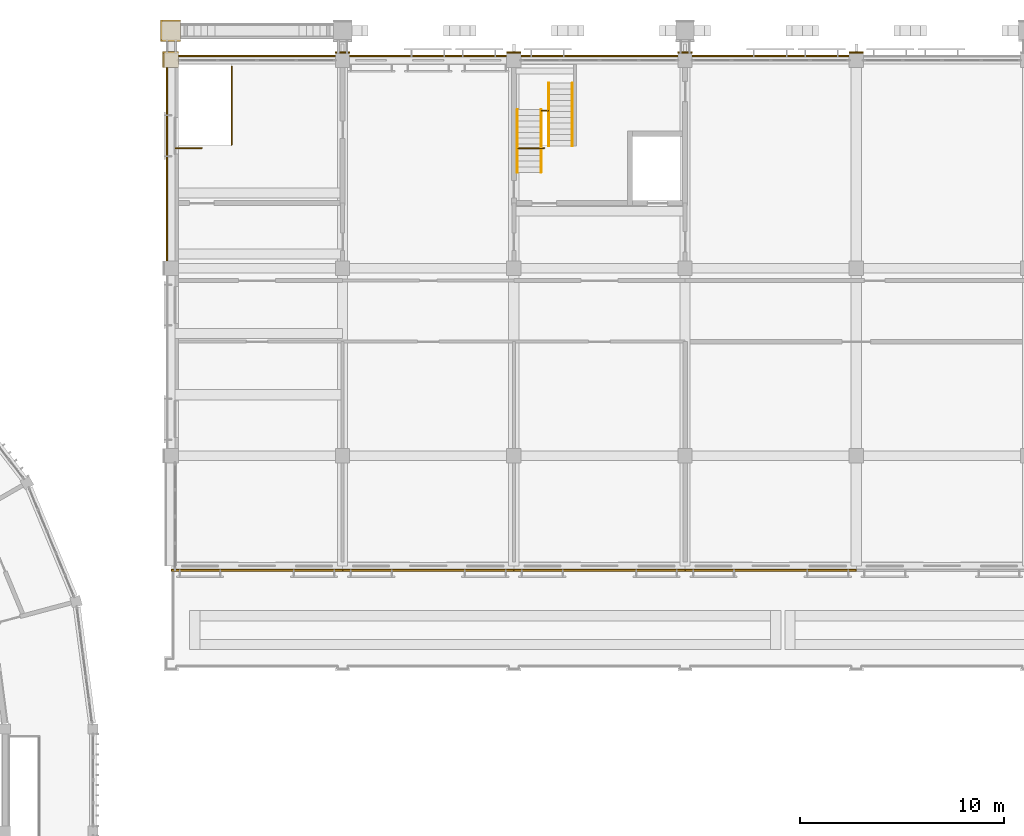
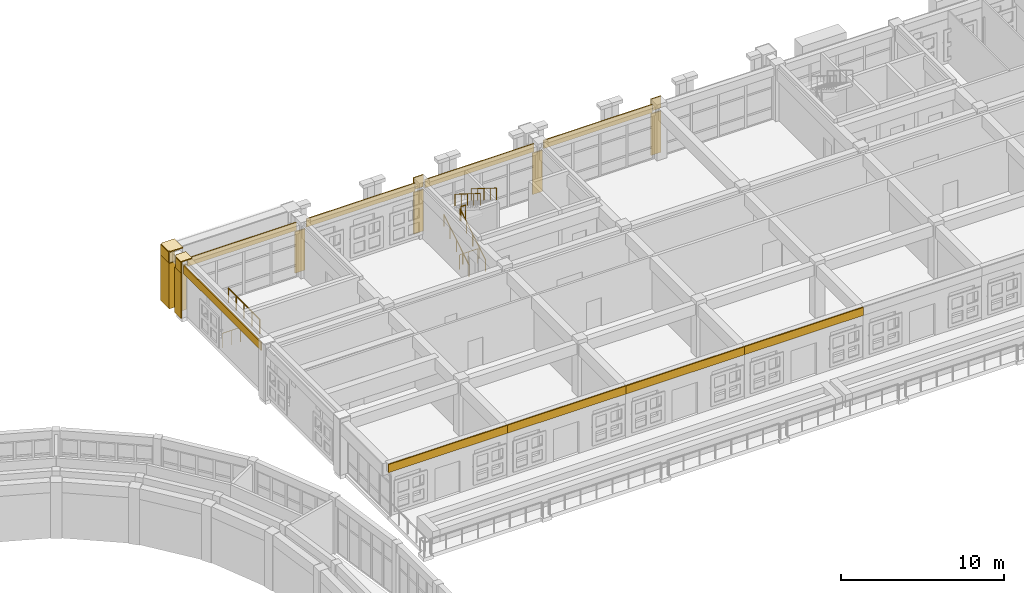
# One storey, part 90 of 99: 21 coverings, 8 railings.
"""IFC4 building model written with IfcOpenShell, lengths in metres."""

from ifc_helpers import new_model, si_unit, direction, frame, origin, origin_2d, place, context, subcontext, project, spatial, polyline, circle, outline, extrude, material, layer, layer_set, type_object, element, save


model = new_model("IFC4")

# Units and contexts
model_context = context("Model", 3, precision=1e-05, world=origin(), true_north=direction((0.0, 1.0)))
body_context = subcontext(model_context, "Body", "Model", "MODEL_VIEW")
ifc_project = project(units=[si_unit("LENGTHUNIT", "METRE"), si_unit("AREAUNIT", "SQUARE_METRE"), si_unit("VOLUMEUNIT", "CUBIC_METRE"), si_unit("PLANEANGLEUNIT", "RADIAN"), si_unit("MASSUNIT", "GRAM", prefix="KILO")], contexts=[model_context])

# Site, building, storey
site_placement = place(None, origin())
site = spatial("IfcSite", under=ifc_project, at=site_placement, CompositionType="ELEMENT")
building_placement = place(site_placement, origin())
building = spatial("IfcBuilding", under=site, at=building_placement, Name="Wasatch Bagh Community Centre", CompositionType="ELEMENT")
storey_placement = place(building_placement, frame((0.0, 0.0, 4.199951171875)))
storey = spatial("IfcBuildingStorey", under=building, at=storey_placement, Name="L01", CompositionType="ELEMENT", Elevation=4.199951171875)

# Coverings
ifc_material_1 = material(Name="Cast stone cladding", Category="masonry")
ifc_layer_1 = layer(ifc_material_1, 0.080078125)
ifc_layer_set_1 = layer_set([ifc_layer_1], Name="Cast stone cladding")
covering_type_1 = type_object("IfcCoveringType", Name="CL-B7 beam facing", PredefinedType="CLADDING", material=ifc_layer_set_1)
covering_1_placement = place(storey_placement, frame((0.0, 0.0, 3.320068359375)))
element("IfcCovering", 1, at=covering_1_placement, inside=storey, type_object=covering_type_1, Name="Beam facing", PredefinedType="CLADDING", context=body_context, shape_type="SweptSolid", body=[
    extrude(outline(polyline([(64.35009765625, 97.97509765625), (72.050048828125, 97.97509765625), (72.050048828125, 98.054931640625), (64.35009765625, 98.054931640625), (64.35009765625, 97.97509765625)])), origin(), (0.0, 0.0, 1.0), 0.60009765625),
])
covering_2_placement = place(storey_placement, frame((0.0, 0.0, 3.320068359375)))
element("IfcCovering", 2, at=covering_2_placement, inside=storey, type_object=covering_type_1, Name="Beam facing", PredefinedType="CLADDING", context=body_context, shape_type="SweptSolid", body=[
    extrude(outline(polyline([(72.75, 97.97509765625), (80.449951171875, 97.97509765625), (80.449951171875, 98.054931640625), (72.75, 98.054931640625), (72.75, 97.97509765625)])), origin(), (0.0, 0.0, 1.0), 0.60009765625),
])
covering_3_placement = place(storey_placement, frame((0.0, 0.0, 3.320068359375)))
element("IfcCovering", 3, at=covering_3_placement, inside=storey, type_object=covering_type_1, Name="Beam facing", PredefinedType="CLADDING", context=body_context, shape_type="SweptSolid", body=[
    extrude(outline(polyline([(81.14990234375, 97.97509765625), (88.85009765625, 97.97509765625), (88.85009765625, 98.054931640625), (81.14990234375, 98.054931640625), (81.14990234375, 97.97509765625)])), origin(), (0.0, 0.0, 1.0), 0.60009765625),
])
covering_4_placement = place(storey_placement, frame((0.0, 0.0, 3.320068359375)))
element("IfcCovering", 4, at=covering_4_placement, inside=storey, type_object=covering_type_1, Name="Beam facing", PredefinedType="CLADDING", context=body_context, shape_type="SweptSolid", body=[
    extrude(outline(polyline([(89.550048828125, 97.97509765625), (97.25, 97.97509765625), (97.25, 98.054931640625), (89.550048828125, 98.054931640625), (89.550048828125, 97.97509765625)])), origin(), (0.0, 0.0, 1.0), 0.60009765625),
])
covering_5_placement = place(storey_placement, frame((0.0, 0.0, 3.320068359375)))
element("IfcCovering", 5, at=covering_5_placement, inside=storey, type_object=covering_type_1, Name="Beam facing", PredefinedType="CLADDING", context=body_context, shape_type="SweptSolid", body=[
    extrude(outline(polyline([(63.824951171875, 87.949951171875), (63.824951171875, 97.449951171875), (63.7451171875, 97.449951171875), (63.7451171875, 87.949951171875), (63.824951171875, 87.949951171875)])), origin(), (0.0, 0.0, 1.0), 0.60009765625),
])
covering_6_placement = place(storey_placement, frame((0.0, 0.0, 3.320068359375)))
element("IfcCovering", 6, at=covering_6_placement, inside=storey, type_object=covering_type_1, Name="Beam facing", PredefinedType="CLADDING", context=body_context, shape_type="SweptSolid", body=[
    extrude(outline(polyline([(64.0, 72.824951171875), (72.39990234375, 72.824951171875), (72.39990234375, 72.7451171875), (64.0, 72.7451171875), (64.0, 72.824951171875)])), origin(), (0.0, 0.0, 1.0), 0.60009765625),
])
covering_7_placement = place(storey_placement, frame((0.0, 0.0, 3.320068359375)))
element("IfcCovering", 7, at=covering_7_placement, inside=storey, type_object=covering_type_1, Name="Beam facing", PredefinedType="CLADDING", context=body_context, shape_type="SweptSolid", body=[
    extrude(outline(polyline([(72.39990234375, 72.824951171875), (80.800048828125, 72.824951171875), (80.800048828125, 72.7451171875), (72.39990234375, 72.7451171875), (72.39990234375, 72.824951171875)])), origin(), (0.0, 0.0, 1.0), 0.60009765625),
])
covering_8_placement = place(storey_placement, frame((0.0, 0.0, 3.320068359375)))
element("IfcCovering", 8, at=covering_8_placement, inside=storey, type_object=covering_type_1, Name="Beam facing", PredefinedType="CLADDING", context=body_context, shape_type="SweptSolid", body=[
    extrude(outline(polyline([(80.800048828125, 72.824951171875), (89.199951171875, 72.824951171875), (89.199951171875, 72.7451171875), (80.800048828125, 72.7451171875), (80.800048828125, 72.824951171875)])), origin(), (0.0, 0.0, 1.0), 0.60009765625),
])
covering_9_placement = place(storey_placement, frame((0.0, 0.0, 3.320068359375)))
element("IfcCovering", 9, at=covering_9_placement, inside=storey, type_object=covering_type_1, Name="Beam facing", PredefinedType="CLADDING", context=body_context, shape_type="SweptSolid", body=[
    extrude(outline(polyline([(89.199951171875, 72.824951171875), (97.60009765625, 72.824951171875), (97.60009765625, 72.7451171875), (89.199951171875, 72.7451171875), (89.199951171875, 72.824951171875)])), origin(), (0.0, 0.0, 1.0), 0.60009765625),
])
ifc_layer_2 = layer(ifc_material_1, 0.080078125)
ifc_layer_set_2 = layer_set([ifc_layer_2], Name="Cast stone cladding")
covering_type_2 = type_object("IfcCoveringType", Name="CL-C1 column facing", PredefinedType="CLADDING", material=ifc_layer_set_2)
covering_10_placement = place(storey_placement, origin())
element("IfcCovering", 10, at=covering_10_placement, inside=storey, type_object=covering_type_2, Name="Column facing", PredefinedType="CLADDING", context=body_context, shape_type="SweptSolid", body=[
    extrude(outline(polyline([(63.469970703125, 98.719970703125), (63.469970703125, 99.780029296875), (64.449951171875, 99.780029296875), (64.449951171875, 99.699951171875), (63.550048828125, 99.699951171875), (63.550048828125, 98.800048828125), (64.449951171875, 98.800048828125), (64.449951171875, 98.719970703125), (63.469970703125, 98.719970703125)])), origin(), (0.0, 0.0, 1.0), 3.400146484375),
])
covering_11_placement = place(storey_placement, frame((0.0, 0.0, 3.400146484375)))
element("IfcCovering", 11, at=covering_11_placement, inside=storey, type_object=covering_type_2, Name="Column facing", PredefinedType="CLADDING", context=body_context, shape_type="SweptSolid", body=[
    extrude(outline(polyline([(63.550048828125, 98.800048828125), (63.469970703125, 98.800048828125), (63.469970703125, 99.780029296875), (64.449951171875, 99.780029296875), (64.449951171875, 99.699951171875), (63.550048828125, 99.699951171875), (63.550048828125, 98.800048828125)])), origin(), (0.0, 0.0, 1.0), 0.7998046875),
])
covering_12_placement = place(storey_placement, frame((0.0, 0.0, 4.199951171875)))
element("IfcCovering", 12, at=covering_12_placement, inside=storey, type_object=covering_type_2, Name="Column facing", PredefinedType="CLADDING", context=body_context, shape_type="SweptSolid", body=[
    extrude(outline(polyline([(64.449951171875, 98.719970703125), (63.550048828125, 98.719970703125), (63.550048828125, 98.800048828125), (63.469970703125, 98.800048828125), (63.469970703125, 99.699951171875), (63.550048828125, 99.699951171875), (63.550048828125, 99.780029296875), (64.449951171875, 99.780029296875), (64.449951171875, 98.719970703125)])), origin(), (0.0, 0.0, 1.0), 0.080078125),
])
covering_13_placement = place(storey_placement, origin())
element("IfcCovering", 13, at=covering_13_placement, inside=storey, type_object=covering_type_2, Name="Column facing", PredefinedType="CLADDING", context=body_context, shape_type="SweptSolid", body=[
    extrude(outline(polyline([(63.64990234375, 97.449951171875), (63.570068359375, 97.449951171875), (63.570068359375, 98.22998046875), (64.35009765625, 98.22998046875), (64.35009765625, 98.14990234375), (63.64990234375, 98.14990234375), (63.64990234375, 97.449951171875)])), origin(), (0.0, 0.0, 1.0), 3.400146484375),
])
covering_14_placement = place(storey_placement, frame((0.0, 0.0, 3.400146484375)))
element("IfcCovering", 14, at=covering_14_placement, inside=storey, type_object=covering_type_2, Name="Column facing", PredefinedType="CLADDING", context=body_context, shape_type="SweptSolid", body=[
    extrude(outline(polyline([(63.64990234375, 98.14990234375), (63.64990234375, 97.449951171875), (63.570068359375, 97.449951171875), (63.570068359375, 98.14990234375), (63.64990234375, 98.14990234375)])), origin(), (0.0, 0.0, 1.0), 0.7998046875),
])
covering_15_placement = place(storey_placement, frame((0.0, 0.0, 4.199951171875)))
element("IfcCovering", 15, at=covering_15_placement, inside=storey, type_object=covering_type_2, Name="Column facing", PredefinedType="CLADDING", context=body_context, shape_type="SweptSolid", body=[
    extrude(outline(polyline([(63.570068359375, 97.449951171875), (63.570068359375, 98.14990234375), (63.64990234375, 98.14990234375), (63.64990234375, 98.22998046875), (64.35009765625, 98.22998046875), (64.35009765625, 97.449951171875), (63.570068359375, 97.449951171875)])), origin(), (0.0, 0.0, 1.0), 0.080078125),
])
covering_16_placement = place(storey_placement, origin())
element("IfcCovering", 16, at=covering_16_placement, inside=storey, type_object=covering_type_2, Name="Column facing", PredefinedType="CLADDING", context=body_context, shape_type="SweptSolid", body=[
    extrude(outline(polyline([(72.75, 98.14990234375), (72.050048828125, 98.14990234375), (72.050048828125, 98.22998046875), (72.75, 98.22998046875), (72.75, 98.14990234375)])), origin(), (0.0, 0.0, 1.0), 3.10009765625),
])
covering_17_placement = place(storey_placement, origin())
element("IfcCovering", 17, at=covering_17_placement, inside=storey, type_object=covering_type_2, Name="Column facing", PredefinedType="CLADDING", context=body_context, shape_type="SweptSolid", body=[
    extrude(outline(polyline([(81.14990234375, 98.14990234375), (80.449951171875, 98.14990234375), (80.449951171875, 98.22998046875), (81.14990234375, 98.22998046875), (81.14990234375, 98.14990234375)])), origin(), (0.0, 0.0, 1.0), 3.10009765625),
])
covering_18_placement = place(storey_placement, frame((0.0, 0.0, 3.320068359375)))
element("IfcCovering", 18, at=covering_18_placement, inside=storey, type_object=covering_type_2, Name="Column facing", PredefinedType="CLADDING", context=body_context, shape_type="SweptSolid", body=[
    extrude(outline(polyline([(81.14990234375, 98.14990234375), (80.449951171875, 98.14990234375), (80.449951171875, 98.22998046875), (81.14990234375, 98.22998046875), (81.14990234375, 98.14990234375)])), origin(), (0.0, 0.0, 1.0), 0.8798828125),
])
covering_19_placement = place(storey_placement, origin())
element("IfcCovering", 19, at=covering_19_placement, inside=storey, type_object=covering_type_2, Name="Column facing", PredefinedType="CLADDING", context=body_context, shape_type="SweptSolid", body=[
    extrude(outline(polyline([(89.550048828125, 98.14990234375), (88.85009765625, 98.14990234375), (88.85009765625, 98.22998046875), (89.550048828125, 98.22998046875), (89.550048828125, 98.14990234375)])), origin(), (0.0, 0.0, 1.0), 3.10009765625),
])
covering_20_placement = place(storey_placement, origin())
element("IfcCovering", 20, at=covering_20_placement, inside=storey, type_object=covering_type_2, Name="Column facing", PredefinedType="CLADDING", context=body_context, shape_type="SweptSolid", body=[
    extrude(outline(polyline([(97.949951171875, 98.14990234375), (97.25, 98.14990234375), (97.25, 98.22998046875), (97.949951171875, 98.22998046875), (97.949951171875, 98.14990234375)])), origin(), (0.0, 0.0, 1.0), 3.10009765625),
])
covering_21_placement = place(storey_placement, frame((0.0, 0.0, 3.320068359375)))
element("IfcCovering", 21, at=covering_21_placement, inside=storey, type_object=covering_type_2, Name="Column facing", PredefinedType="CLADDING", context=body_context, shape_type="SweptSolid", body=[
    extrude(outline(polyline([(97.949951171875, 98.14990234375), (97.25, 98.14990234375), (97.25, 98.22998046875), (97.949951171875, 98.22998046875), (97.949951171875, 98.14990234375)])), origin(), (0.0, 0.0, 1.0), 0.8798828125),
])

# Railings
ifc_material_2 = material(Name="Painted steel with jali infill", Category="steel")
railing_type_1 = type_object("IfcRailingType", Name="LW guard 1100", PredefinedType="GUARDRAIL", material=ifc_material_2)
railing_1_placement = place(storey_placement, frame((66.949951171875, 93.64990234375, 0.0)))
element("IfcRailing", 22, at=railing_1_placement, inside=storey, type_object=railing_type_1, Name="Guard WS", PredefinedType="GUARDRAIL", context=body_context, shape_type="SweptSolid", body=[
    extrude(circle(Radius=0.02490234375, at=origin_2d()), frame((0.0, 0.0, 1.0751953125), z_axis=(0.0, 1.0, 0.0), x_axis=(-1.0, 0.0, 0.0)), (0.0, 0.0, 1.0), 3.85009765625),
    extrude(circle(Radius=0.02001953125, at=origin_2d()), origin(), (0.0, 0.0, 1.0), 1.050048828125),
    extrude(circle(Radius=0.02001953125, at=origin_2d()), frame((0.0, 0.96240234375, 0.0)), (0.0, 0.0, 1.0), 1.050048828125),
    extrude(circle(Radius=0.02001953125, at=origin_2d()), frame((0.0, 1.925048828125, 0.0)), (0.0, 0.0, 1.0), 1.050048828125),
    extrude(circle(Radius=0.02001953125, at=origin_2d()), frame((0.0, 2.8876953125, 0.0)), (0.0, 0.0, 1.0), 1.050048828125),
    extrude(circle(Radius=0.02001953125, at=origin_2d()), frame((0.0, 3.85009765625, 0.0)), (0.0, 0.0, 1.0), 1.050048828125),
])
for number, where, name in (
    (23, (64.199951171875, 93.5, 0.0), "Guard WS"),
    (24, (81.0, 93.5, 0.0), "Guard C1"),
):
    element("IfcRailing", number, at=place(storey_placement, frame(where)), inside=storey, type_object=railing_type_1, Name=name, PredefinedType="GUARDRAIL", context=body_context, shape_type="SweptSolid", body=[
        extrude(circle(Radius=0.02490234375, at=origin_2d()), frame((0.0, 0.0, 1.0751953125), z_axis=(1.0, 0.0, 0.0), x_axis=(0.0, 1.0, 0.0)), (0.0, 0.0, 1.0), 1.300048828125),
        extrude(circle(Radius=0.02001953125, at=origin_2d()), origin(), (0.0, 0.0, 1.0), 1.050048828125),
        extrude(circle(Radius=0.02001953125, at=origin_2d()), frame((0.64990234375, 0.0, 0.0)), (0.0, 0.0, 1.0), 1.050048828125),
        extrude(circle(Radius=0.02001953125, at=origin_2d()), frame((1.300048828125, 0.0, 0.0)), (0.0, 0.0, 1.0), 1.050048828125),
    ])
railing_2_placement = place(storey_placement, frame((82.159912109375, 95.330078125, 2.10009765625)))
element("IfcRailing", 25, at=railing_2_placement, inside=storey, type_object=railing_type_1, Name="Guard C1", PredefinedType="GUARDRAIL", context=body_context, shape_type="SweptSolid", body=[
    extrude(circle(Radius=0.02490234375, at=origin_2d()), frame((0.0, 0.0, 1.0751953125), z_axis=(1.0, 0.0, 0.0), x_axis=(0.0, 1.0, 0.0)), (0.0, 0.0, 1.0), 0.330078125),
    extrude(circle(Radius=0.02001953125, at=origin_2d()), origin(), (0.0, 0.0, 1.0), 1.050048828125),
    extrude(circle(Radius=0.02001953125, at=origin_2d()), frame((0.330078125, 0.0, 0.0)), (0.0, 0.0, 1.0), 1.050048828125),
])
ifc_material_3 = material(Name="Painted steel tube", Category="steel")
railing_type_2 = type_object("IfcRailingType", Name="LW stair handrail 900", PredefinedType="HANDRAIL", material=ifc_material_3)
for number, where, name in (
    (26, (80.97509765625, 92.300048828125, 0.175048828125), "Handrail C1"),
    (27, (82.135009765625, 92.300048828125, 0.175048828125), "Handrail C1"),
):
    element("IfcRailing", number, at=place(storey_placement, frame(where)), inside=storey, type_object=railing_type_2, Name=name, PredefinedType="HANDRAIL", context=body_context, shape_type="SweptSolid", body=[
        extrude(circle(Radius=0.0224609375, at=origin_2d()), frame((0.0, 0.0, 0.87744140625), z_axis=(0.0, 0.847979421464, 0.530029150871), x_axis=(-1.0, 0.0, 0.0)), (0.0, 0.0, 1.0), 3.632080078125),
        extrude(circle(Radius=0.02001953125, at=origin_2d()), origin(), (0.0, 0.0, 1.0), 0.85498046875),
        extrude(circle(Radius=0.02001953125, at=origin_2d()), frame((0.0, 0.77001953125, 0.481201171875)), (0.0, 0.0, 1.0), 0.85498046875),
        extrude(circle(Radius=0.02001953125, at=origin_2d()), frame((0.0, 1.5400390625, 0.96240234375)), (0.0, 0.0, 1.0), 0.85498046875),
        extrude(circle(Radius=0.02001953125, at=origin_2d()), frame((0.0, 2.309814453125, 1.44384765625)), (0.0, 0.0, 1.0), 0.85498046875),
        extrude(circle(Radius=0.02001953125, at=origin_2d()), frame((0.0, 3.079833984375, 1.925048828125)), (0.0, 0.0, 1.0), 0.85498046875),
    ])
for number, where, name in (
    (28, (82.514892578125, 96.679931640625, 2.275146484375), "Handrail C1"),
    (29, (83.675048828125, 96.679931640625, 2.275146484375), "Handrail C1"),
):
    element("IfcRailing", number, at=place(storey_placement, frame(where)), inside=storey, type_object=railing_type_2, Name=name, PredefinedType="HANDRAIL", context=body_context, shape_type="SweptSolid", body=[
        extrude(circle(Radius=0.0224609375, at=origin_2d()), frame((0.0, 0.0, 0.87744140625), z_axis=(0.0, -0.848009633417, 0.529980812513), x_axis=(1.0, 0.0, 0.0)), (0.0, 0.0, 1.0), 3.6318359375),
        extrude(circle(Radius=0.02001953125, at=origin_2d()), origin(), (0.0, 0.0, 1.0), 0.85498046875),
        extrude(circle(Radius=0.02001953125, at=origin_2d()), frame((0.0, -0.77001953125, 0.481201171875)), (0.0, 0.0, 1.0), 0.85498046875),
        extrude(circle(Radius=0.02001953125, at=origin_2d()), frame((0.0, -1.5400390625, 0.96240234375)), (0.0, 0.0, 1.0), 0.85498046875),
        extrude(circle(Radius=0.02001953125, at=origin_2d()), frame((0.0, -2.309814453125, 1.443603515625)), (0.0, 0.0, 1.0), 0.85498046875),
        extrude(circle(Radius=0.02001953125, at=origin_2d()), frame((0.0, -3.079833984375, 1.9248046875)), (0.0, 0.0, 1.0), 0.85498046875),
    ])

save(model, "model.ifc")
